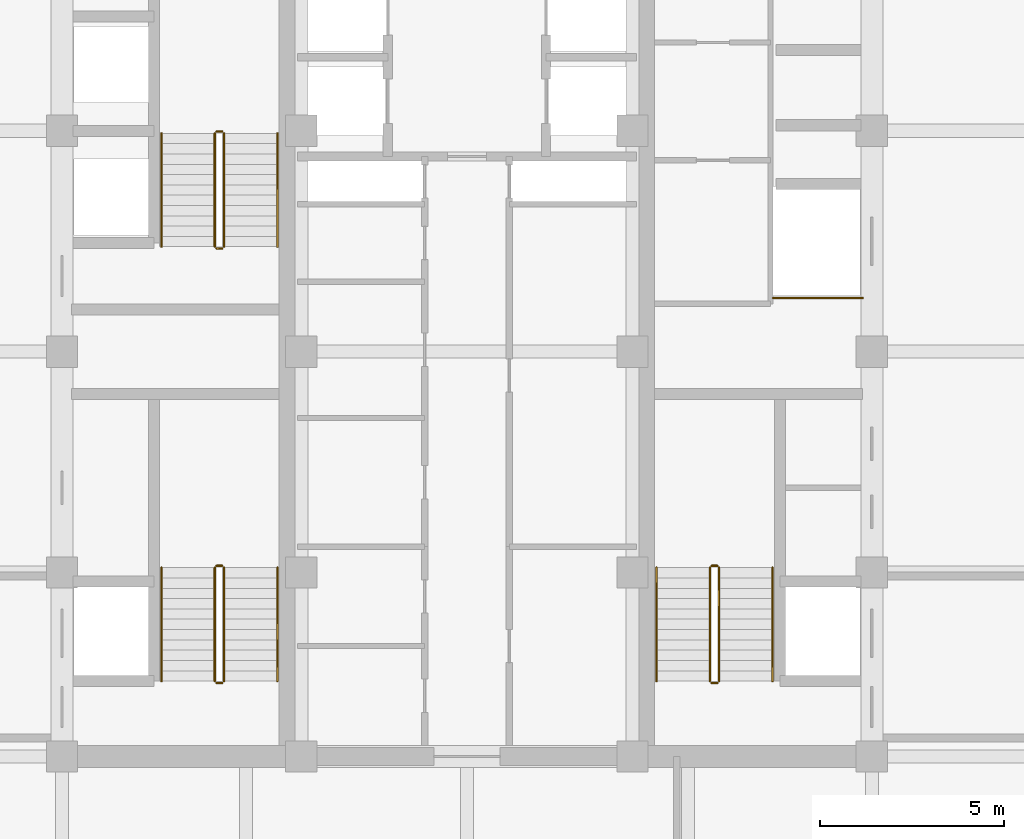
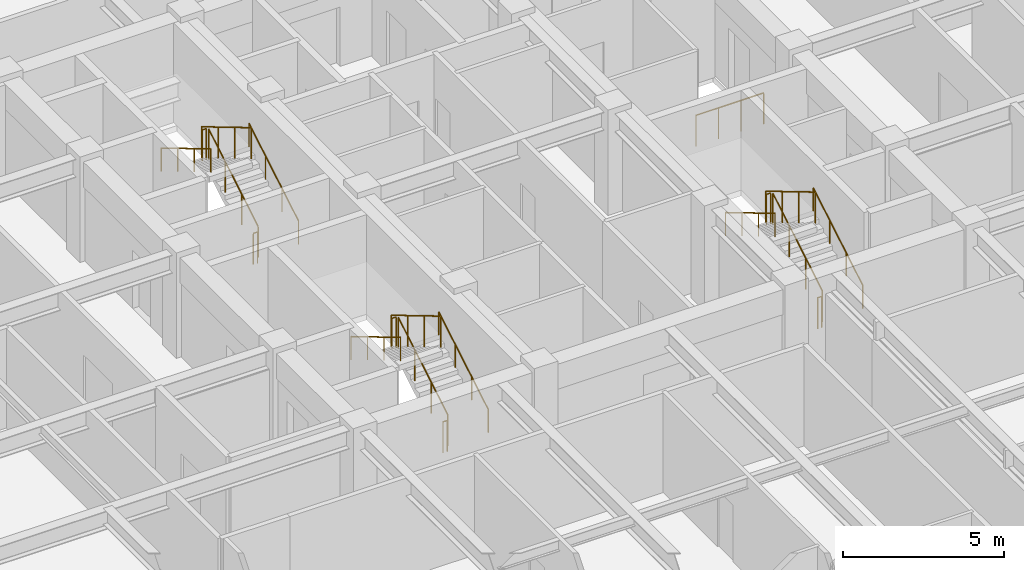
# One storey, part 24 of 24: 19 railings.
"""IFC4 building model written with IfcOpenShell, lengths in metres."""

from ifc_helpers import new_model, si_unit, direction, frame, origin, origin_2d, place, context, subcontext, project, spatial, circle, extrude, source, transform, mapped, material, type_object, element, save


model = new_model("IFC4")

# Units and contexts
model_context = context("Model", 3, precision=1e-05, world=origin(), true_north=direction((0.0, 1.0)))
body_context = subcontext(model_context, "Body", "Model", "MODEL_VIEW")
ifc_project = project(units=[si_unit("LENGTHUNIT", "METRE"), si_unit("AREAUNIT", "SQUARE_METRE"), si_unit("VOLUMEUNIT", "CUBIC_METRE"), si_unit("PLANEANGLEUNIT", "RADIAN"), si_unit("MASSUNIT", "GRAM", prefix="KILO")], contexts=[model_context])

# Site, building, storey
site_placement = place(None, origin())
site = spatial("IfcSite", under=ifc_project, at=site_placement, CompositionType="ELEMENT")
building_placement = place(site_placement, origin())
building = spatial("IfcBuilding", under=site, at=building_placement, Name="Khorayat Bourse Tower", CompositionType="ELEMENT")
storey_placement = place(building_placement, frame((0.0, 0.0, 211.10009765625)))
storey = spatial("IfcBuildingStorey", under=building, at=storey_placement, Name="L49", CompositionType="ELEMENT", Elevation=211.10009765625)

# Railings
ifc_material_1 = material(Name="Powder-coated steel balustrade", Category="steel")
railing_type_1 = type_object("IfcRailingType", Name="RLG-GUARD-1200", PredefinedType="GUARDRAIL", material=ifc_material_1)
shared_shape_1 = source(origin(), body_context, "Body", "SweptSolid", [
    extrude(circle(Radius=0.02392578125, at=origin_2d()), frame((0.0, 0.0, 1.17578125), z_axis=(-1.0, 0.0, 0.0), x_axis=(0.0, -1.0, 0.0)), (0.0, 0.0, 1.0), 0.150146484375),
    extrude(circle(Radius=0.02099609375, at=origin_2d()), origin(), (0.0, 0.0, 1.0), 1.15185546875),
    extrude(circle(Radius=0.02099609375, at=origin_2d()), frame((-0.150146484375, 0.0, 0.0)), (0.0, 0.0, 1.0), 1.15185546875),
])
for number, where, name in (
    (1, (-6.64990234375, -5.820068359375, 2.0), "L49 ST-1 stair guard 2"),
    (2, (-6.64990234375, -9.0, 0.0), "L49 ST-1 stair guard 4"),
    (3, (-6.64990234375, 5.97998046875, 2.0), "L49 ST-2 stair guard 2"),
    (4, (-6.64990234375, 2.800048828125, 0.0), "L49 ST-2 stair guard 4"),
    (5, (6.800048828125, -5.820068359375, 2.0), "L49 ST-3 stair guard 2"),
    (6, (6.800048828125, -9.0, 0.0), "L49 ST-3 stair guard 4"),
):
    element("IfcRailing", number, at=place(storey_placement, frame(where)), inside=storey, type_object=railing_type_1, Name=name, PredefinedType="GUARDRAIL", context=body_context, shape_type="MappedRepresentation", body=[
        mapped(shared_shape_1, transform((0.0, 0.0, 0.0), scale=1.0)),
    ])
shared_shape_2 = source(origin(), body_context, "Body", "SweptSolid", [
    extrude(circle(Radius=0.02392578125, at=origin_2d()), frame((0.0, 0.0, 1.17578125), z_axis=(0.0, 0.859260807169, 0.511537745687), x_axis=(-1.0, 0.0, 0.0)), (0.0, 0.0, 1.0), 3.584228515625),
    extrude(circle(Radius=0.02099609375, at=origin_2d()), origin(), (0.0, 0.0, 1.0), 1.15185546875),
    extrude(circle(Radius=0.02099609375, at=origin_2d()), frame((0.0, 1.026611328125, 0.611083984375)), (0.0, 0.0, 1.0), 1.15185546875),
    extrude(circle(Radius=0.02099609375, at=origin_2d()), frame((0.0, 2.05322265625, 1.222412109375)), (0.0, 0.0, 1.0), 1.15185546875),
    extrude(circle(Radius=0.02099609375, at=origin_2d()), frame((0.0, 3.079833984375, 1.83349609375)), (0.0, 0.0, 1.0), 1.15185546875),
])
for number, where, name in (
    (7, (-6.60009765625, -8.949951171875, 0.16650390625), "L49 ST-1 stair guard 1"),
    (8, (-6.60009765625, 2.85009765625, 0.16650390625), "L49 ST-2 stair guard 1"),
    (9, (6.85009765625, -8.949951171875, 0.16650390625), "L49 ST-3 stair guard 1"),
):
    element("IfcRailing", number, at=place(storey_placement, frame(where)), inside=storey, type_object=railing_type_1, Name=name, PredefinedType="GUARDRAIL", context=body_context, shape_type="MappedRepresentation", body=[
        mapped(shared_shape_2, transform((0.0, 0.0, 0.0), scale=1.0)),
    ])
shared_shape_3 = source(origin(), body_context, "Body", "SweptSolid", [
    extrude(circle(Radius=0.02392578125, at=origin_2d()), frame((0.0, 0.0, 1.17578125), z_axis=(0.0, -0.859260807169, 0.511537745687), x_axis=(1.0, 0.0, 0.0)), (0.0, 0.0, 1.0), 3.584228515625),
    extrude(circle(Radius=0.02099609375, at=origin_2d()), origin(), (0.0, 0.0, 1.0), 1.15185546875),
    extrude(circle(Radius=0.02099609375, at=origin_2d()), frame((0.0, -1.026611328125, 0.611083984375)), (0.0, 0.0, 1.0), 1.15185546875),
    extrude(circle(Radius=0.02099609375, at=origin_2d()), frame((0.0, -2.05322265625, 1.222412109375)), (0.0, 0.0, 1.0), 1.15185546875),
    extrude(circle(Radius=0.02099609375, at=origin_2d()), frame((0.0, -3.079833984375, 1.83349609375)), (0.0, 0.0, 1.0), 1.15185546875),
])
for number, where, name in (
    (10, (-6.85009765625, -5.8701171875, 2.16650390625), "L49 ST-1 stair guard 3"),
    (11, (-6.85009765625, 5.929931640625, 2.16650390625), "L49 ST-2 stair guard 3"),
    (12, (6.60009765625, -5.8701171875, 2.16650390625), "L49 ST-3 stair guard 3"),
):
    element("IfcRailing", number, at=place(storey_placement, frame(where)), inside=storey, type_object=railing_type_1, Name=name, PredefinedType="GUARDRAIL", context=body_context, shape_type="MappedRepresentation", body=[
        mapped(shared_shape_3, transform((0.0, 0.0, 0.0), scale=1.0)),
    ])
ifc_material_2 = material(Name="Brushed bronze stainless-steel handrail", Category="steel")
railing_type_2 = type_object("IfcRailingType", Name="RLG-HAND-900", PredefinedType="HANDRAIL", material=ifc_material_2)
shared_shape_4 = source(origin(), body_context, "Body", "SweptSolid", [
    extrude(circle(Radius=0.02392578125, at=origin_2d()), frame((0.0, 0.0, 0.8759765625), z_axis=(0.0, 0.859260807169, 0.511537745687), x_axis=(-1.0, 0.0, 0.0)), (0.0, 0.0, 1.0), 3.584228515625),
    extrude(circle(Radius=0.02099609375, at=origin_2d()), origin(), (0.0, 0.0, 1.0), 0.851806640625),
    extrude(circle(Radius=0.02099609375, at=origin_2d()), frame((0.0, 1.026611328125, 0.611083984375)), (0.0, 0.0, 1.0), 0.851806640625),
    extrude(circle(Radius=0.02099609375, at=origin_2d()), frame((0.0, 2.05322265625, 1.222412109375)), (0.0, 0.0, 1.0), 0.851806640625),
    extrude(circle(Radius=0.02099609375, at=origin_2d()), frame((0.0, 3.079833984375, 1.83349609375)), (0.0, 0.0, 1.0), 0.851806640625),
])
for number, where, name in (
    (13, (-5.14990234375, -8.949951171875, 0.16650390625), "L49 ST-1 stair handrail 1"),
    (14, (-5.14990234375, 2.85009765625, 0.16650390625), "L49 ST-2 stair handrail 1"),
    (15, (8.300048828125, -8.949951171875, 0.16650390625), "L49 ST-3 stair handrail 1"),
):
    element("IfcRailing", number, at=place(storey_placement, frame(where)), inside=storey, type_object=railing_type_2, Name=name, PredefinedType="HANDRAIL", context=body_context, shape_type="MappedRepresentation", body=[
        mapped(shared_shape_4, transform((0.0, 0.0, 0.0), scale=1.0)),
    ])
shared_shape_5 = source(origin(), body_context, "Body", "SweptSolid", [
    extrude(circle(Radius=0.02392578125, at=origin_2d()), frame((0.0, 0.0, 0.8759765625), z_axis=(0.0, -0.859260807169, 0.511537745687), x_axis=(1.0, 0.0, 0.0)), (0.0, 0.0, 1.0), 3.584228515625),
    extrude(circle(Radius=0.02099609375, at=origin_2d()), origin(), (0.0, 0.0, 1.0), 0.851806640625),
    extrude(circle(Radius=0.02099609375, at=origin_2d()), frame((0.0, -1.026611328125, 0.611083984375)), (0.0, 0.0, 1.0), 0.851806640625),
    extrude(circle(Radius=0.02099609375, at=origin_2d()), frame((0.0, -2.05322265625, 1.222412109375)), (0.0, 0.0, 1.0), 0.851806640625),
    extrude(circle(Radius=0.02099609375, at=origin_2d()), frame((0.0, -3.079833984375, 1.83349609375)), (0.0, 0.0, 1.0), 0.851806640625),
])
for number, where, name in (
    (16, (-8.300048828125, -5.8701171875, 2.16650390625), "L49 ST-1 stair handrail 2"),
    (17, (-8.300048828125, 5.929931640625, 2.16650390625), "L49 ST-2 stair handrail 2"),
    (18, (5.14990234375, -5.8701171875, 2.16650390625), "L49 ST-3 stair handrail 2"),
):
    element("IfcRailing", number, at=place(storey_placement, frame(where)), inside=storey, type_object=railing_type_2, Name=name, PredefinedType="HANDRAIL", context=body_context, shape_type="MappedRepresentation", body=[
        mapped(shared_shape_5, transform((0.0, 0.0, 0.0), scale=1.0)),
    ])
shared_shape_6 = source(origin(), body_context, "Body", "SweptSolid", [
    extrude(circle(Radius=0.02392578125, at=origin_2d()), frame((0.0, 0.0, 1.17578125), z_axis=(1.0, 0.0, 0.0), x_axis=(0.0, 1.0, 0.0)), (0.0, 0.0, 1.0), 2.429931640625),
    extrude(circle(Radius=0.02099609375, at=origin_2d()), origin(), (0.0, 0.0, 1.0), 1.15185546875),
    extrude(circle(Radius=0.02099609375, at=origin_2d()), frame((0.81005859375, 0.0, 0.0)), (0.0, 0.0, 1.0), 1.15185546875),
    extrude(circle(Radius=0.02099609375, at=origin_2d()), frame((1.619873046875, 0.0, 0.0)), (0.0, 0.0, 1.0), 1.15185546875),
    extrude(circle(Radius=0.02099609375, at=origin_2d()), frame((2.429931640625, 0.0, 0.0)), (0.0, 0.0, 1.0), 1.15185546875),
])
railing_placement = place(storey_placement, frame((8.320068359375, 1.4599609375, 0.0)))
element("IfcRailing", 19, at=railing_placement, inside=storey, type_object=railing_type_1, Name="L49 Goods Shaft Opening Guardrail", PredefinedType="GUARDRAIL", context=body_context, shape_type="MappedRepresentation", body=[
    mapped(shared_shape_6, transform((0.0, 0.0, 0.0), scale=1.0)),
])

save(model, "model.ifc")
